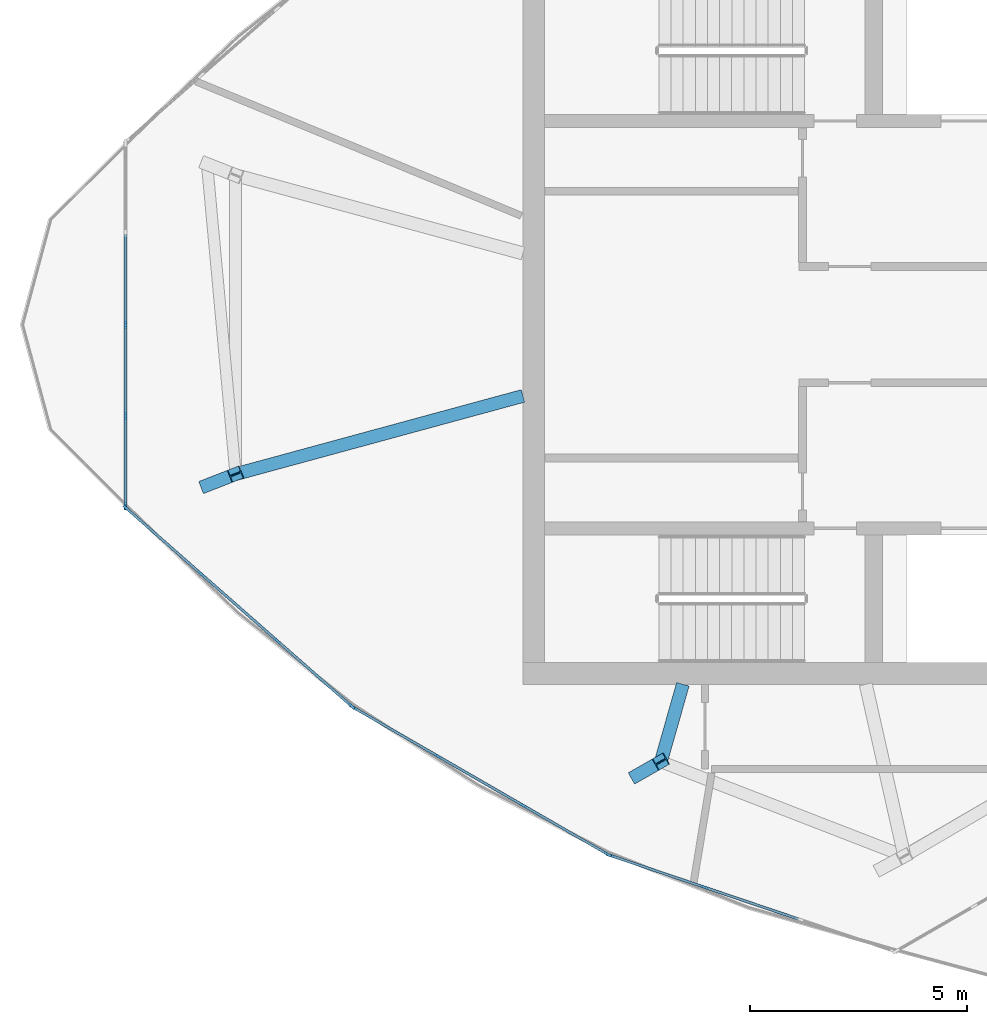
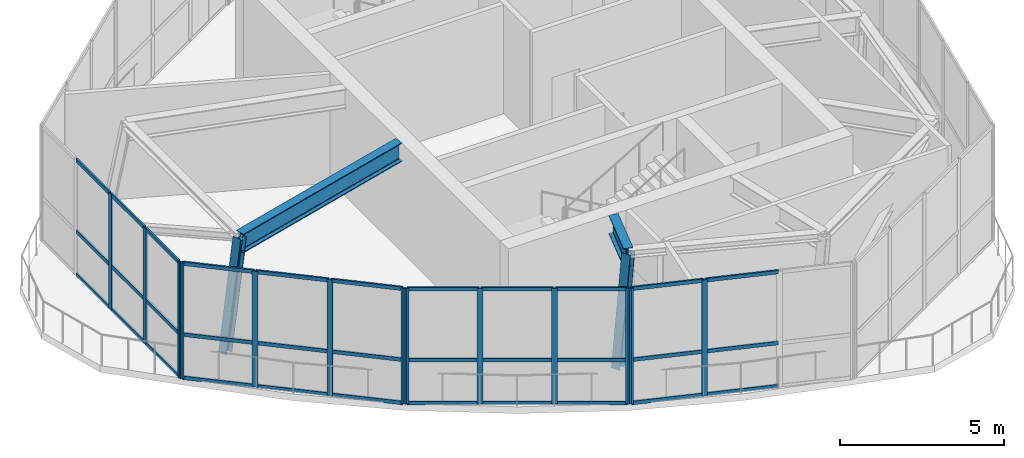
# One storey, part 1 of 10: 48 members, 2 beams, 4 elements without a shape of their own.
"""IFC4 building model written with IfcOpenShell, lengths in metres."""

from ifc_helpers import new_model, si_unit, direction, frame, origin, origin_2d, place, context, subcontext, project, spatial, rectangle, i_section, extrude, source, transform, mapped, material, layer, layer_set, material_profile, profile_set, type_object, element, aggregate, save


model = new_model("IFC4")

# Units and contexts
model_context = context("Model", 3, precision=1e-05, world=origin(), true_north=direction((0.0, 1.0)))
body_context = subcontext(model_context, "Body", "Model", "MODEL_VIEW")
ifc_project = project(units=[si_unit("LENGTHUNIT", "METRE"), si_unit("AREAUNIT", "SQUARE_METRE"), si_unit("VOLUMEUNIT", "CUBIC_METRE"), si_unit("PLANEANGLEUNIT", "RADIAN"), si_unit("MASSUNIT", "GRAM", prefix="KILO")], contexts=[model_context])

# Site, building, storey
site_placement = place(None, origin())
site = spatial("IfcSite", under=ifc_project, at=site_placement, CompositionType="ELEMENT")
building_placement = place(site_placement, origin())
building = spatial("IfcBuilding", under=site, at=building_placement, Name="Qafzar Sky-Pleat Residences", CompositionType="ELEMENT")
storey_placement = place(building_placement, frame((0.0, 0.0, 261.800048828125)))
storey = spatial("IfcBuildingStorey", under=building, at=storey_placement, Name="L78 Crown", CompositionType="ELEMENT", Elevation=261.800048828125)

# Members
ifc_material_1 = material(Name="Steel S460", Category="steel")
ifc_material_profile_1 = material_profile(ifc_material_1, i_section(OverallWidth=0.300048828125, OverallDepth=0.300048828125, WebThickness=0.010986328125, FlangeThickness=0.01904296875, FilletRadius=0.027099609375, at=origin_2d()), Name="HEB 300")
ifc_profile_set_1 = profile_set([ifc_material_profile_1], Name="Steel S460")
member_type_1 = type_object("IfcMemberType", Name="MEM-CROWN-RIB", PredefinedType="CHORD", material=ifc_profile_set_1)
shared_shape_1 = source(origin(), body_context, "Body", "SweptSolid", [
    extrude(i_section(OverallWidth=0.300048828125, OverallDepth=0.300048828125, WebThickness=0.010986328125, FlangeThickness=0.01904296875, FilletRadius=0.027099609375, at=origin_2d()), origin(), (0.0, 0.0, 1.0), 3.95947265625),
])
member_1_placement = place(storey_placement, frame((17.010498046875, 22.293701171875, 0.0), z_axis=(0.166110846077, 0.06498917289, 0.983963207759), x_axis=(-0.364347212595, 0.931263179061, 0.0)))
element("IfcMember", 1, at=member_1_placement, inside=storey, type_object=member_type_1, Name="L78 Crown CROWN FRAME Inclined Rib 2", PredefinedType="CHORD", context=body_context, shape_type="MappedRepresentation", body=[
    mapped(shared_shape_1, transform((0.0, 0.0, 0.0), x_axis=(1.0, 0.0, 0.0), y_axis=(0.0, 1.0, 0.0), z_axis=(0.0, 0.0, 1.0), scale=1.0)),
])
shared_shape_2 = source(origin(), body_context, "Body", "SweptSolid", [
    extrude(i_section(OverallWidth=0.300048828125, OverallDepth=0.300048828125, WebThickness=0.010986328125, FlangeThickness=0.01904296875, FilletRadius=0.027099609375, at=origin_2d()), origin(), (0.0, 0.0, 1.0), 3.947265625),
])
member_2_placement = place(storey_placement, frame((26.93310546875, 15.600830078125, 0.0), z_axis=(0.139718338634, 0.079476788466, 0.986996568355), x_axis=(-0.494439048005, 0.86921230307, 0.0)))
element("IfcMember", 2, at=member_2_placement, inside=storey, type_object=member_type_1, Name="L78 Crown CROWN FRAME Inclined Rib 4", PredefinedType="CHORD", context=body_context, shape_type="MappedRepresentation", body=[
    mapped(shared_shape_2, transform((0.0, 0.0, 0.0), x_axis=(1.0, 0.0, 0.0), y_axis=(0.0, 1.0, 0.0), z_axis=(0.0, 0.0, 1.0), scale=1.0)),
])

# Beams
ifc_material_profile_2 = material_profile(ifc_material_1, i_section(OverallWidth=0.300048828125, OverallDepth=0.699951171875, WebThickness=0.01708984375, FlangeThickness=0.031982421875, FilletRadius=0.027099609375, at=origin_2d()), Name="HEB 700")
ifc_profile_set_2 = profile_set([ifc_material_profile_2], Name="Steel S460")
beam_type = type_object("IfcBeamType", Name="BM-CHORD-HEB700", PredefinedType="BEAM", material=ifc_profile_set_2)
shared_shape_3 = source(origin(), body_context, "Body", "SweptSolid", [
    extrude(i_section(OverallWidth=0.300048828125, OverallDepth=0.699951171875, WebThickness=0.01708984375, FlangeThickness=0.031982421875, FilletRadius=0.027099609375, at=origin_2d()), origin(), (0.0, 0.0, 1.0), 6.872802734375),
])
beam_1_placement = place(storey_placement, frame((17.668212890625, 22.551025390625, 3.697998046875), z_axis=(0.964947212963, 0.262444043932, 0.0), x_axis=(-0.262444043932, 0.964947212963, 0.0)))
element("IfcBeam", 3, at=beam_1_placement, inside=storey, type_object=beam_type, Name="L79 Crown Crown Rib Base Transfer Beam 2", PredefinedType="BEAM", context=body_context, shape_type="MappedRepresentation", body=[
    mapped(shared_shape_3, transform((0.0, 0.0, 0.0), x_axis=(1.0, 0.0, 0.0), y_axis=(0.0, 1.0, 0.0), z_axis=(0.0, 0.0, 1.0), scale=1.0)),
])
shared_shape_4 = source(origin(), body_context, "Body", "SweptSolid", [
    extrude(i_section(OverallWidth=0.300048828125, OverallDepth=0.699951171875, WebThickness=0.01708984375, FlangeThickness=0.031982421875, FilletRadius=0.027099609375, at=origin_2d()), origin(), (0.0, 0.0, 1.0), 1.85595703125),
])
beam_2_placement = place(storey_placement, frame((27.484619140625, 15.91455078125, 3.697998046875), z_axis=(0.273209315348, 0.96195460912, 0.0), x_axis=(-0.96195460912, 0.273209315348, 0.0)))
element("IfcBeam", 4, at=beam_2_placement, inside=storey, type_object=beam_type, Name="L79 Crown Crown Rib Base Transfer Beam 4", PredefinedType="BEAM", context=body_context, shape_type="MappedRepresentation", body=[
    mapped(shared_shape_4, transform((0.0, 0.0, 0.0), x_axis=(1.0, 0.0, 0.0), y_axis=(0.0, 1.0, 0.0), z_axis=(0.0, 0.0, 1.0), scale=1.0)),
])

# Curtain wall, members
ifc_material_2 = material(Name="Anodised bronze aluminium framing", Category="aluminium")
ifc_layer = layer(ifc_material_2, 0.179931640625)
ifc_layer_set = layer_set([ifc_layer], Name="Anodised bronze aluminium framing")
curtain_wall_type = type_object("IfcCurtainWallType", Name="CW-SYS-06", PredefinedType="NOTDEFINED", material=ifc_layer_set)
curtain_wall_1_placement = place(storey_placement, origin())
curtain_wall_1 = element("IfcCurtainWall", 5, at=curtain_wall_1_placement, inside=storey, type_object=curtain_wall_type, Name="L78 Crown CW-06 Curtain Wall CW-CROWN-03-01", PredefinedType="NOTDEFINED")
ifc_material_3 = material(Name="Anodised bronze aluminium", Category="aluminium")
ifc_material_profile_3 = material_profile(ifc_material_3, rectangle(XDim=0.06005859375, YDim=0.179931640625, at=origin_2d()), Name="ALU MULLION 60x180")
ifc_profile_set_3 = profile_set([ifc_material_profile_3], Name="Anodised bronze aluminium")
member_type_2 = type_object("IfcMemberType", Name="CWM-06", PredefinedType="MULLION", material=ifc_profile_set_3)
shared_shape_5 = source(origin(), body_context, "Body", "SweptSolid", [
    extrude(rectangle(XDim=0.06005859375, YDim=0.179931640625, at=origin_2d()), origin(), (0.0, 0.0, 1.0), 4.300048828125),
])
member_3_placement = place(storey_placement, frame((15.12939453125, 26.0, 0.0), z_axis=(0.0, 0.0, 1.0), x_axis=(1.0, 0.0, 0.0)))
member_3 = element("IfcMember", 6, at=member_3_placement, type_object=member_type_2, Name="CW-06 mullion 3", PredefinedType="MULLION", context=body_context, shape_type="MappedRepresentation", body=[
    mapped(shared_shape_5, transform((0.0, 0.0, 0.0), x_axis=(1.0, 0.0, 0.0), y_axis=(0.0, 1.0, 0.0), z_axis=(0.0, 0.0, 1.0), scale=1.0)),
])
member_4_placement = place(storey_placement, frame((15.12939453125, 23.890380859375, 0.0), z_axis=(0.0, 0.0, 1.0), x_axis=(1.0, 0.0, 0.0)))
member_4 = element("IfcMember", 7, at=member_4_placement, type_object=member_type_2, Name="CW-06 mullion 4", PredefinedType="MULLION", context=body_context, shape_type="MappedRepresentation", body=[
    mapped(shared_shape_5, transform((0.0, 0.0, 0.0), x_axis=(1.0, 0.0, 0.0), y_axis=(0.0, 1.0, 0.0), z_axis=(0.0, 0.0, 1.0), scale=1.0)),
])
member_5_placement = place(storey_placement, frame((15.12939453125, 21.810791015625, 0.0), z_axis=(0.0, 0.0, 1.0), x_axis=(1.0, 0.0, 0.0)))
member_5 = element("IfcMember", 8, at=member_5_placement, type_object=member_type_2, Name="CW-06 mullion 5", PredefinedType="MULLION", context=body_context, shape_type="MappedRepresentation", body=[
    mapped(shared_shape_5, transform((0.0, 0.0, 0.0), x_axis=(1.0, 0.0, 0.0), y_axis=(0.0, 1.0, 0.0), z_axis=(0.0, 0.0, 1.0), scale=1.0)),
])

curtain_wall_2_placement = place(storey_placement, origin())
curtain_wall_2 = element("IfcCurtainWall", 9, at=curtain_wall_2_placement, inside=storey, type_object=curtain_wall_type, Name="L78 Crown CW-06 Curtain Wall CW-CROWN-03-02", PredefinedType="NOTDEFINED")
member_6_placement = place(storey_placement, frame((15.15185546875, 21.760986328125, 0.0), z_axis=(0.0, 0.0, 1.0), x_axis=(0.660134231558, 0.751147652812, 0.0)))
member_6 = element("IfcMember", 10, at=member_6_placement, type_object=member_type_2, Name="CW-06 mullion 1", PredefinedType="MULLION", context=body_context, shape_type="MappedRepresentation", body=[
    mapped(shared_shape_5, transform((0.0, 0.0, 0.0), x_axis=(1.0, 0.0, 0.0), y_axis=(0.0, 1.0, 0.0), z_axis=(0.0, 0.0, 1.0), scale=1.0)),
])
member_7_placement = place(storey_placement, frame((16.87451171875, 20.246826171875, 0.0), z_axis=(0.0, 0.0, 1.0), x_axis=(0.660134231558, 0.751147652812, 0.0)))
member_7 = element("IfcMember", 11, at=member_7_placement, type_object=member_type_2, Name="CW-06 mullion 2", PredefinedType="MULLION", context=body_context, shape_type="MappedRepresentation", body=[
    mapped(shared_shape_5, transform((0.0, 0.0, 0.0), x_axis=(1.0, 0.0, 0.0), y_axis=(0.0, 1.0, 0.0), z_axis=(0.0, 0.0, 1.0), scale=1.0)),
])
member_8_placement = place(storey_placement, frame((18.619873046875, 18.713134765625, 0.0), z_axis=(0.0, 0.0, 1.0), x_axis=(0.660134231558, 0.751147652812, 0.0)))
member_8 = element("IfcMember", 12, at=member_8_placement, type_object=member_type_2, Name="CW-06 mullion 3", PredefinedType="MULLION", context=body_context, shape_type="MappedRepresentation", body=[
    mapped(shared_shape_5, transform((0.0, 0.0, 0.0), x_axis=(1.0, 0.0, 0.0), y_axis=(0.0, 1.0, 0.0), z_axis=(0.0, 0.0, 1.0), scale=1.0)),
])
member_9_placement = place(storey_placement, frame((20.342529296875, 17.19921875, 0.0), z_axis=(0.0, 0.0, 1.0), x_axis=(0.660134231558, 0.751147652812, 0.0)))
member_9 = element("IfcMember", 13, at=member_9_placement, type_object=member_type_2, Name="CW-06 mullion 4", PredefinedType="MULLION", context=body_context, shape_type="MappedRepresentation", body=[
    mapped(shared_shape_5, transform((0.0, 0.0, 0.0), x_axis=(1.0, 0.0, 0.0), y_axis=(0.0, 1.0, 0.0), z_axis=(0.0, 0.0, 1.0), scale=1.0)),
])

curtain_wall_3_placement = place(storey_placement, origin())
curtain_wall_3 = element("IfcCurtainWall", 14, at=curtain_wall_3_placement, inside=storey, type_object=curtain_wall_type, Name="L78 Crown CW-06 Curtain Wall CW-CROWN-03-03", PredefinedType="NOTDEFINED")
member_10_placement = place(storey_placement, frame((20.39111328125, 17.164306640625, 0.0), z_axis=(0.0, 0.0, 1.0), x_axis=(0.499992628097, 0.866029659913, 0.0)))
member_10 = element("IfcMember", 15, at=member_10_placement, type_object=member_type_2, Name="CW-06 mullion 1", PredefinedType="MULLION", context=body_context, shape_type="MappedRepresentation", body=[
    mapped(shared_shape_5, transform((0.0, 0.0, 0.0), x_axis=(1.0, 0.0, 0.0), y_axis=(0.0, 1.0, 0.0), z_axis=(0.0, 0.0, 1.0), scale=1.0)),
])
member_11_placement = place(storey_placement, frame((22.338134765625, 16.0400390625, 0.0), z_axis=(0.0, 0.0, 1.0), x_axis=(0.499992628097, 0.866029659913, 0.0)))
member_11 = element("IfcMember", 16, at=member_11_placement, type_object=member_type_2, Name="CW-06 mullion 2", PredefinedType="MULLION", context=body_context, shape_type="MappedRepresentation", body=[
    mapped(shared_shape_5, transform((0.0, 0.0, 0.0), x_axis=(1.0, 0.0, 0.0), y_axis=(0.0, 1.0, 0.0), z_axis=(0.0, 0.0, 1.0), scale=1.0)),
])
member_12_placement = place(storey_placement, frame((24.311279296875, 14.90087890625, 0.0), z_axis=(0.0, 0.0, 1.0), x_axis=(0.499992628097, 0.866029659913, 0.0)))
member_12 = element("IfcMember", 17, at=member_12_placement, type_object=member_type_2, Name="CW-06 mullion 3", PredefinedType="MULLION", context=body_context, shape_type="MappedRepresentation", body=[
    mapped(shared_shape_5, transform((0.0, 0.0, 0.0), x_axis=(1.0, 0.0, 0.0), y_axis=(0.0, 1.0, 0.0), z_axis=(0.0, 0.0, 1.0), scale=1.0)),
])
member_13_placement = place(storey_placement, frame((26.258544921875, 13.77685546875, 0.0), z_axis=(0.0, 0.0, 1.0), x_axis=(0.499992628097, 0.866029659913, 0.0)))
member_13 = element("IfcMember", 18, at=member_13_placement, type_object=member_type_2, Name="CW-06 mullion 4", PredefinedType="MULLION", context=body_context, shape_type="MappedRepresentation", body=[
    mapped(shared_shape_5, transform((0.0, 0.0, 0.0), x_axis=(1.0, 0.0, 0.0), y_axis=(0.0, 1.0, 0.0), z_axis=(0.0, 0.0, 1.0), scale=1.0)),
])

curtain_wall_4_placement = place(storey_placement, origin())
curtain_wall_4 = element("IfcCurtainWall", 19, at=curtain_wall_4_placement, inside=storey, type_object=curtain_wall_type, Name="L78 Crown CW-06 Curtain Wall CW-CROWN-03-04", PredefinedType="NOTDEFINED")
member_14_placement = place(storey_placement, frame((26.31298828125, 13.752197265625, 0.0), z_axis=(0.0, 0.0, 1.0), x_axis=(0.320451017741, 0.947265087095, 0.0)))
member_14 = element("IfcMember", 20, at=member_14_placement, type_object=member_type_2, Name="CW-06 mullion 1", PredefinedType="MULLION", context=body_context, shape_type="MappedRepresentation", body=[
    mapped(shared_shape_5, transform((0.0, 0.0, 0.0), x_axis=(1.0, 0.0, 0.0), y_axis=(0.0, 1.0, 0.0), z_axis=(0.0, 0.0, 1.0), scale=1.0)),
])
member_15_placement = place(storey_placement, frame((28.4853515625, 13.017333984375, 0.0), z_axis=(0.0, 0.0, 1.0), x_axis=(0.320451017741, 0.947265087095, 0.0)))
member_15 = element("IfcMember", 21, at=member_15_placement, type_object=member_type_2, Name="CW-06 mullion 2", PredefinedType="MULLION", context=body_context, shape_type="MappedRepresentation", body=[
    mapped(shared_shape_5, transform((0.0, 0.0, 0.0), x_axis=(1.0, 0.0, 0.0), y_axis=(0.0, 1.0, 0.0), z_axis=(0.0, 0.0, 1.0), scale=1.0)),
])

# Member
ifc_material_profile_4 = material_profile(ifc_material_3, rectangle(XDim=0.06005859375, YDim=0.135009765625, at=origin_2d()), Name="ALU TRANSOM 60x135")
ifc_profile_set_4 = profile_set([ifc_material_profile_4], Name="Anodised bronze aluminium")
member_type_3 = type_object("IfcMemberType", Name="CWT-06", PredefinedType="USERDEFINED", material=ifc_profile_set_4)
shared_shape_6 = source(origin(), body_context, "Body", "SweptSolid", [
    extrude(rectangle(XDim=0.06005859375, YDim=0.135009765625, at=origin_2d()), origin(), (0.0, 0.0, 1.0), 2.01953125),
])
member_16_placement = place(storey_placement, frame((15.12939453125, 23.8603515625, 0.030029296875), z_axis=(0.0, -1.0, 0.0), x_axis=(1.0, 0.0, 0.0)))
member_16 = element("IfcMember", 22, at=member_16_placement, type_object=member_type_3, Name="CW-06 transom 4.1", ObjectType="TRANSOM", PredefinedType="USERDEFINED", context=body_context, shape_type="MappedRepresentation", body=[
    mapped(shared_shape_6, transform((0.0, 0.0, 0.0), x_axis=(1.0, 0.0, 0.0), y_axis=(0.0, 1.0, 0.0), z_axis=(0.0, 0.0, 1.0), scale=1.0)),
])

member_17_placement = place(storey_placement, frame((15.12939453125, 23.8603515625, 1.634033203125), z_axis=(0.0, -1.0, 0.0), x_axis=(1.0, 0.0, 0.0)))
member_17 = element("IfcMember", 23, at=member_17_placement, type_object=member_type_3, Name="CW-06 transom 4.2", ObjectType="TRANSOM", PredefinedType="USERDEFINED", context=body_context, shape_type="MappedRepresentation", body=[
    mapped(shared_shape_6, transform((0.0, 0.0, 0.0), x_axis=(1.0, 0.0, 0.0), y_axis=(0.0, 1.0, 0.0), z_axis=(0.0, 0.0, 1.0), scale=1.0)),
])

member_18_placement = place(storey_placement, frame((15.12939453125, 23.8603515625, 4.27001953125), z_axis=(0.0, -1.0, 0.0), x_axis=(1.0, 0.0, 0.0)))
member_18 = element("IfcMember", 24, at=member_18_placement, type_object=member_type_3, Name="CW-06 transom 4.3", ObjectType="TRANSOM", PredefinedType="USERDEFINED", context=body_context, shape_type="MappedRepresentation", body=[
    mapped(shared_shape_6, transform((0.0, 0.0, 0.0), x_axis=(1.0, 0.0, 0.0), y_axis=(0.0, 1.0, 0.0), z_axis=(0.0, 0.0, 1.0), scale=1.0)),
])

shared_shape_7 = source(origin(), body_context, "Body", "SweptSolid", [
    extrude(rectangle(XDim=0.06005859375, YDim=0.135009765625, at=origin_2d()), origin(), (0.0, 0.0, 1.0), 2.049560546875),
])
member_19_placement = place(storey_placement, frame((15.12939453125, 28.07958984375, 0.030029296875), z_axis=(0.0, -1.0, 0.0), x_axis=(1.0, 0.0, 0.0)))
member_19 = element("IfcMember", 25, at=member_19_placement, type_object=member_type_3, Name="CW-06 transom 2.1", ObjectType="TRANSOM", PredefinedType="USERDEFINED", context=body_context, shape_type="MappedRepresentation", body=[
    mapped(shared_shape_7, transform((0.0, 0.0, 0.0), x_axis=(1.0, 0.0, 0.0), y_axis=(0.0, 1.0, 0.0), z_axis=(0.0, 0.0, 1.0), scale=1.0)),
])

member_20_placement = place(storey_placement, frame((15.12939453125, 28.07958984375, 1.634033203125), z_axis=(0.0, -1.0, 0.0), x_axis=(1.0, 0.0, 0.0)))
member_20 = element("IfcMember", 26, at=member_20_placement, type_object=member_type_3, Name="CW-06 transom 2.2", ObjectType="TRANSOM", PredefinedType="USERDEFINED", context=body_context, shape_type="MappedRepresentation", body=[
    mapped(shared_shape_7, transform((0.0, 0.0, 0.0), x_axis=(1.0, 0.0, 0.0), y_axis=(0.0, 1.0, 0.0), z_axis=(0.0, 0.0, 1.0), scale=1.0)),
])

member_21_placement = place(storey_placement, frame((15.12939453125, 28.07958984375, 4.27001953125), z_axis=(0.0, -1.0, 0.0), x_axis=(1.0, 0.0, 0.0)))
member_21 = element("IfcMember", 27, at=member_21_placement, type_object=member_type_3, Name="CW-06 transom 2.3", ObjectType="TRANSOM", PredefinedType="USERDEFINED", context=body_context, shape_type="MappedRepresentation", body=[
    mapped(shared_shape_7, transform((0.0, 0.0, 0.0), x_axis=(1.0, 0.0, 0.0), y_axis=(0.0, 1.0, 0.0), z_axis=(0.0, 0.0, 1.0), scale=1.0)),
])

member_22_placement = place(storey_placement, frame((15.12939453125, 25.969970703125, 0.030029296875), z_axis=(0.0, -1.0, 0.0), x_axis=(1.0, 0.0, 0.0)))
member_22 = element("IfcMember", 28, at=member_22_placement, type_object=member_type_3, Name="CW-06 transom 3.1", ObjectType="TRANSOM", PredefinedType="USERDEFINED", context=body_context, shape_type="MappedRepresentation", body=[
    mapped(shared_shape_7, transform((0.0, 0.0, 0.0), x_axis=(1.0, 0.0, 0.0), y_axis=(0.0, 1.0, 0.0), z_axis=(0.0, 0.0, 1.0), scale=1.0)),
])

member_23_placement = place(storey_placement, frame((15.12939453125, 25.969970703125, 1.634033203125), z_axis=(0.0, -1.0, 0.0), x_axis=(1.0, 0.0, 0.0)))
member_23 = element("IfcMember", 29, at=member_23_placement, type_object=member_type_3, Name="CW-06 transom 3.2", ObjectType="TRANSOM", PredefinedType="USERDEFINED", context=body_context, shape_type="MappedRepresentation", body=[
    mapped(shared_shape_7, transform((0.0, 0.0, 0.0), x_axis=(1.0, 0.0, 0.0), y_axis=(0.0, 1.0, 0.0), z_axis=(0.0, 0.0, 1.0), scale=1.0)),
])

member_24_placement = place(storey_placement, frame((15.12939453125, 25.969970703125, 4.27001953125), z_axis=(0.0, -1.0, 0.0), x_axis=(1.0, 0.0, 0.0)))
member_24 = element("IfcMember", 30, at=member_24_placement, type_object=member_type_3, Name="CW-06 transom 3.3", ObjectType="TRANSOM", PredefinedType="USERDEFINED", context=body_context, shape_type="MappedRepresentation", body=[
    mapped(shared_shape_7, transform((0.0, 0.0, 0.0), x_axis=(1.0, 0.0, 0.0), y_axis=(0.0, 1.0, 0.0), z_axis=(0.0, 0.0, 1.0), scale=1.0)),
])

aggregate(curtain_wall_1, [member_3, member_4, member_5, member_19, member_20, member_21, member_22, member_23, member_24, member_16, member_17, member_18])

shared_shape_8 = source(origin(), body_context, "Body", "SweptSolid", [
    extrude(rectangle(XDim=0.06005859375, YDim=0.135009765625, at=origin_2d()), origin(), (0.0, 0.0, 1.0), 2.233642578125),
])
member_25_placement = place(storey_placement, frame((15.17431640625, 21.7412109375, 0.030029296875), z_axis=(0.751112341266, -0.660174409378, 0.0), x_axis=(0.660174409378, 0.751112341266, 0.0)))
member_25 = element("IfcMember", 31, at=member_25_placement, type_object=member_type_3, Name="CW-06 transom 1.1", ObjectType="TRANSOM", PredefinedType="USERDEFINED", context=body_context, shape_type="MappedRepresentation", body=[
    mapped(shared_shape_8, transform((0.0, 0.0, 0.0), x_axis=(1.0, 0.0, 0.0), y_axis=(0.0, 1.0, 0.0), z_axis=(0.0, 0.0, 1.0), scale=1.0)),
])

member_26_placement = place(storey_placement, frame((15.17431640625, 21.7412109375, 1.634033203125), z_axis=(0.751112341266, -0.660174409378, 0.0), x_axis=(0.660174409378, 0.751112341266, 0.0)))
member_26 = element("IfcMember", 32, at=member_26_placement, type_object=member_type_3, Name="CW-06 transom 1.2", ObjectType="TRANSOM", PredefinedType="USERDEFINED", context=body_context, shape_type="MappedRepresentation", body=[
    mapped(shared_shape_8, transform((0.0, 0.0, 0.0), x_axis=(1.0, 0.0, 0.0), y_axis=(0.0, 1.0, 0.0), z_axis=(0.0, 0.0, 1.0), scale=1.0)),
])

member_27_placement = place(storey_placement, frame((15.17431640625, 21.7412109375, 4.27001953125), z_axis=(0.751112341266, -0.660174409378, 0.0), x_axis=(0.660174409378, 0.751112341266, 0.0)))
member_27 = element("IfcMember", 33, at=member_27_placement, type_object=member_type_3, Name="CW-06 transom 1.3", ObjectType="TRANSOM", PredefinedType="USERDEFINED", context=body_context, shape_type="MappedRepresentation", body=[
    mapped(shared_shape_8, transform((0.0, 0.0, 0.0), x_axis=(1.0, 0.0, 0.0), y_axis=(0.0, 1.0, 0.0), z_axis=(0.0, 0.0, 1.0), scale=1.0)),
])

member_28_placement = place(storey_placement, frame((26.34130859375, 13.74267578125, 0.030029296875), z_axis=(0.947252731653, -0.320487538565, 0.0), x_axis=(0.320487538565, 0.947252731653, 0.0)))
member_28 = element("IfcMember", 34, at=member_28_placement, type_object=member_type_3, Name="CW-06 transom 1.1", ObjectType="TRANSOM", PredefinedType="USERDEFINED", context=body_context, shape_type="MappedRepresentation", body=[
    mapped(shared_shape_8, transform((0.0, 0.0, 0.0), x_axis=(1.0, 0.0, 0.0), y_axis=(0.0, 1.0, 0.0), z_axis=(0.0, 0.0, 1.0), scale=1.0)),
])

member_29_placement = place(storey_placement, frame((26.34130859375, 13.74267578125, 1.634033203125), z_axis=(0.947252731653, -0.320487538565, 0.0), x_axis=(0.320487538565, 0.947252731653, 0.0)))
member_29 = element("IfcMember", 35, at=member_29_placement, type_object=member_type_3, Name="CW-06 transom 1.2", ObjectType="TRANSOM", PredefinedType="USERDEFINED", context=body_context, shape_type="MappedRepresentation", body=[
    mapped(shared_shape_8, transform((0.0, 0.0, 0.0), x_axis=(1.0, 0.0, 0.0), y_axis=(0.0, 1.0, 0.0), z_axis=(0.0, 0.0, 1.0), scale=1.0)),
])

member_30_placement = place(storey_placement, frame((26.34130859375, 13.74267578125, 4.27001953125), z_axis=(0.947252731653, -0.320487538565, 0.0), x_axis=(0.320487538565, 0.947252731653, 0.0)))
member_30 = element("IfcMember", 36, at=member_30_placement, type_object=member_type_3, Name="CW-06 transom 1.3", ObjectType="TRANSOM", PredefinedType="USERDEFINED", context=body_context, shape_type="MappedRepresentation", body=[
    mapped(shared_shape_8, transform((0.0, 0.0, 0.0), x_axis=(1.0, 0.0, 0.0), y_axis=(0.0, 1.0, 0.0), z_axis=(0.0, 0.0, 1.0), scale=1.0)),
])

shared_shape_9 = source(origin(), body_context, "Body", "SweptSolid", [
    extrude(rectangle(XDim=0.06005859375, YDim=0.135009765625, at=origin_2d()), origin(), (0.0, 0.0, 1.0), 2.263427734375),
])
member_31_placement = place(storey_placement, frame((16.897216796875, 20.22705078125, 0.030029296875), z_axis=(0.751158415452, -0.66012198486, 0.0), x_axis=(0.66012198486, 0.751158415452, 0.0)))
member_31 = element("IfcMember", 37, at=member_31_placement, type_object=member_type_3, Name="CW-06 transom 2.1", ObjectType="TRANSOM", PredefinedType="USERDEFINED", context=body_context, shape_type="MappedRepresentation", body=[
    mapped(shared_shape_9, transform((0.0, 0.0, 0.0), x_axis=(1.0, 0.0, 0.0), y_axis=(0.0, 1.0, 0.0), z_axis=(0.0, 0.0, 1.0), scale=1.0)),
])

member_32_placement = place(storey_placement, frame((16.897216796875, 20.22705078125, 1.634033203125), z_axis=(0.751158415452, -0.66012198486, 0.0), x_axis=(0.66012198486, 0.751158415452, 0.0)))
member_32 = element("IfcMember", 38, at=member_32_placement, type_object=member_type_3, Name="CW-06 transom 2.2", ObjectType="TRANSOM", PredefinedType="USERDEFINED", context=body_context, shape_type="MappedRepresentation", body=[
    mapped(shared_shape_9, transform((0.0, 0.0, 0.0), x_axis=(1.0, 0.0, 0.0), y_axis=(0.0, 1.0, 0.0), z_axis=(0.0, 0.0, 1.0), scale=1.0)),
])

member_33_placement = place(storey_placement, frame((16.897216796875, 20.22705078125, 4.27001953125), z_axis=(0.751158415452, -0.66012198486, 0.0), x_axis=(0.66012198486, 0.751158415452, 0.0)))
member_33 = element("IfcMember", 39, at=member_33_placement, type_object=member_type_3, Name="CW-06 transom 2.3", ObjectType="TRANSOM", PredefinedType="USERDEFINED", context=body_context, shape_type="MappedRepresentation", body=[
    mapped(shared_shape_9, transform((0.0, 0.0, 0.0), x_axis=(1.0, 0.0, 0.0), y_axis=(0.0, 1.0, 0.0), z_axis=(0.0, 0.0, 1.0), scale=1.0)),
])

member_34_placement = place(storey_placement, frame((28.513916015625, 13.007568359375, 0.030029296875), z_axis=(0.947260810065, -0.320463660522, 0.0), x_axis=(0.320463660522, 0.947260810065, 0.0)))
member_34 = element("IfcMember", 40, at=member_34_placement, type_object=member_type_3, Name="CW-06 transom 2.1", ObjectType="TRANSOM", PredefinedType="USERDEFINED", context=body_context, shape_type="MappedRepresentation", body=[
    mapped(shared_shape_9, transform((0.0, 0.0, 0.0), x_axis=(1.0, 0.0, 0.0), y_axis=(0.0, 1.0, 0.0), z_axis=(0.0, 0.0, 1.0), scale=1.0)),
])

member_35_placement = place(storey_placement, frame((28.513916015625, 13.007568359375, 1.634033203125), z_axis=(0.947260810065, -0.320463660522, 0.0), x_axis=(0.320463660522, 0.947260810065, 0.0)))
member_35 = element("IfcMember", 41, at=member_35_placement, type_object=member_type_3, Name="CW-06 transom 2.2", ObjectType="TRANSOM", PredefinedType="USERDEFINED", context=body_context, shape_type="MappedRepresentation", body=[
    mapped(shared_shape_9, transform((0.0, 0.0, 0.0), x_axis=(1.0, 0.0, 0.0), y_axis=(0.0, 1.0, 0.0), z_axis=(0.0, 0.0, 1.0), scale=1.0)),
])

member_36_placement = place(storey_placement, frame((28.513916015625, 13.007568359375, 4.27001953125), z_axis=(0.947260810065, -0.320463660522, 0.0), x_axis=(0.320463660522, 0.947260810065, 0.0)))
member_36 = element("IfcMember", 42, at=member_36_placement, type_object=member_type_3, Name="CW-06 transom 2.3", ObjectType="TRANSOM", PredefinedType="USERDEFINED", context=body_context, shape_type="MappedRepresentation", body=[
    mapped(shared_shape_9, transform((0.0, 0.0, 0.0), x_axis=(1.0, 0.0, 0.0), y_axis=(0.0, 1.0, 0.0), z_axis=(0.0, 0.0, 1.0), scale=1.0)),
])

aggregate(curtain_wall_4, [member_14, member_15, member_28, member_29, member_30, member_34, member_35, member_36])

shared_shape_10 = source(origin(), body_context, "Body", "SweptSolid", [
    extrude(rectangle(XDim=0.06005859375, YDim=0.135009765625, at=origin_2d()), origin(), (0.0, 0.0, 1.0), 2.2333984375),
])
member_37_placement = place(storey_placement, frame((18.642333984375, 18.693359375, 0.030029296875), z_axis=(0.751166540904, -0.660112738725, 0.0), x_axis=(0.660112738725, 0.751166540904, 0.0)))
member_37 = element("IfcMember", 43, at=member_37_placement, type_object=member_type_3, Name="CW-06 transom 3.1", ObjectType="TRANSOM", PredefinedType="USERDEFINED", context=body_context, shape_type="MappedRepresentation", body=[
    mapped(shared_shape_10, transform((0.0, 0.0, 0.0), x_axis=(1.0, 0.0, 0.0), y_axis=(0.0, 1.0, 0.0), z_axis=(0.0, 0.0, 1.0), scale=1.0)),
])

member_38_placement = place(storey_placement, frame((18.642333984375, 18.693359375, 1.634033203125), z_axis=(0.751166540904, -0.660112738725, 0.0), x_axis=(0.660112738725, 0.751166540904, 0.0)))
member_38 = element("IfcMember", 44, at=member_38_placement, type_object=member_type_3, Name="CW-06 transom 3.2", ObjectType="TRANSOM", PredefinedType="USERDEFINED", context=body_context, shape_type="MappedRepresentation", body=[
    mapped(shared_shape_10, transform((0.0, 0.0, 0.0), x_axis=(1.0, 0.0, 0.0), y_axis=(0.0, 1.0, 0.0), z_axis=(0.0, 0.0, 1.0), scale=1.0)),
])

member_39_placement = place(storey_placement, frame((18.642333984375, 18.693359375, 4.27001953125), z_axis=(0.751166540904, -0.660112738725, 0.0), x_axis=(0.660112738725, 0.751166540904, 0.0)))
member_39 = element("IfcMember", 45, at=member_39_placement, type_object=member_type_3, Name="CW-06 transom 3.3", ObjectType="TRANSOM", PredefinedType="USERDEFINED", context=body_context, shape_type="MappedRepresentation", body=[
    mapped(shared_shape_10, transform((0.0, 0.0, 0.0), x_axis=(1.0, 0.0, 0.0), y_axis=(0.0, 1.0, 0.0), z_axis=(0.0, 0.0, 1.0), scale=1.0)),
])

aggregate(curtain_wall_2, [member_6, member_7, member_8, member_9, member_25, member_26, member_27, member_31, member_32, member_33, member_37, member_38, member_39])

shared_shape_11 = source(origin(), body_context, "Body", "SweptSolid", [
    extrude(rectangle(XDim=0.06005859375, YDim=0.135009765625, at=origin_2d()), origin(), (0.0, 0.0, 1.0), 2.1884765625),
])
member_40_placement = place(storey_placement, frame((20.4169921875, 17.1494140625, 0.030029296875), z_axis=(0.86602396135, -0.500002498361, 0.0), x_axis=(0.500002498361, 0.86602396135, 0.0)))
member_40 = element("IfcMember", 46, at=member_40_placement, type_object=member_type_3, Name="CW-06 transom 1.1", ObjectType="TRANSOM", PredefinedType="USERDEFINED", context=body_context, shape_type="MappedRepresentation", body=[
    mapped(shared_shape_11, transform((0.0, 0.0, 0.0), x_axis=(1.0, 0.0, 0.0), y_axis=(0.0, 1.0, 0.0), z_axis=(0.0, 0.0, 1.0), scale=1.0)),
])

member_41_placement = place(storey_placement, frame((20.4169921875, 17.1494140625, 1.634033203125), z_axis=(0.86602396135, -0.500002498361, 0.0), x_axis=(0.500002498361, 0.86602396135, 0.0)))
member_41 = element("IfcMember", 47, at=member_41_placement, type_object=member_type_3, Name="CW-06 transom 1.2", ObjectType="TRANSOM", PredefinedType="USERDEFINED", context=body_context, shape_type="MappedRepresentation", body=[
    mapped(shared_shape_11, transform((0.0, 0.0, 0.0), x_axis=(1.0, 0.0, 0.0), y_axis=(0.0, 1.0, 0.0), z_axis=(0.0, 0.0, 1.0), scale=1.0)),
])

member_42_placement = place(storey_placement, frame((20.4169921875, 17.1494140625, 4.27001953125), z_axis=(0.86602396135, -0.500002498361, 0.0), x_axis=(0.500002498361, 0.86602396135, 0.0)))
member_42 = element("IfcMember", 48, at=member_42_placement, type_object=member_type_3, Name="CW-06 transom 1.3", ObjectType="TRANSOM", PredefinedType="USERDEFINED", context=body_context, shape_type="MappedRepresentation", body=[
    mapped(shared_shape_11, transform((0.0, 0.0, 0.0), x_axis=(1.0, 0.0, 0.0), y_axis=(0.0, 1.0, 0.0), z_axis=(0.0, 0.0, 1.0), scale=1.0)),
])

shared_shape_12 = source(origin(), body_context, "Body", "SweptSolid", [
    extrude(rectangle(XDim=0.06005859375, YDim=0.135009765625, at=origin_2d()), origin(), (0.0, 0.0, 1.0), 2.21826171875),
])
member_43_placement = place(storey_placement, frame((22.3642578125, 16.025146484375, 0.030029296875), z_axis=(0.866033470286, -0.49998602815, 0.0), x_axis=(0.49998602815, 0.866033470286, 0.0)))
member_43 = element("IfcMember", 49, at=member_43_placement, type_object=member_type_3, Name="CW-06 transom 2.1", ObjectType="TRANSOM", PredefinedType="USERDEFINED", context=body_context, shape_type="MappedRepresentation", body=[
    mapped(shared_shape_12, transform((0.0, 0.0, 0.0), x_axis=(1.0, 0.0, 0.0), y_axis=(0.0, 1.0, 0.0), z_axis=(0.0, 0.0, 1.0), scale=1.0)),
])

member_44_placement = place(storey_placement, frame((22.3642578125, 16.025146484375, 1.634033203125), z_axis=(0.866033470286, -0.49998602815, 0.0), x_axis=(0.49998602815, 0.866033470286, 0.0)))
member_44 = element("IfcMember", 50, at=member_44_placement, type_object=member_type_3, Name="CW-06 transom 2.2", ObjectType="TRANSOM", PredefinedType="USERDEFINED", context=body_context, shape_type="MappedRepresentation", body=[
    mapped(shared_shape_12, transform((0.0, 0.0, 0.0), x_axis=(1.0, 0.0, 0.0), y_axis=(0.0, 1.0, 0.0), z_axis=(0.0, 0.0, 1.0), scale=1.0)),
])

member_45_placement = place(storey_placement, frame((22.3642578125, 16.025146484375, 4.27001953125), z_axis=(0.866033470286, -0.49998602815, 0.0), x_axis=(0.49998602815, 0.866033470286, 0.0)))
member_45 = element("IfcMember", 51, at=member_45_placement, type_object=member_type_3, Name="CW-06 transom 2.3", ObjectType="TRANSOM", PredefinedType="USERDEFINED", context=body_context, shape_type="MappedRepresentation", body=[
    mapped(shared_shape_12, transform((0.0, 0.0, 0.0), x_axis=(1.0, 0.0, 0.0), y_axis=(0.0, 1.0, 0.0), z_axis=(0.0, 0.0, 1.0), scale=1.0)),
])

shared_shape_13 = source(origin(), body_context, "Body", "SweptSolid", [
    extrude(rectangle(XDim=0.06005859375, YDim=0.135009765625, at=origin_2d()), origin(), (0.0, 0.0, 1.0), 2.188232421875),
])
member_46_placement = place(storey_placement, frame((24.33740234375, 14.885986328125, 0.030029296875), z_axis=(0.865996067555, -0.500050808398, 0.0), x_axis=(0.500050808398, 0.865996067555, 0.0)))
member_46 = element("IfcMember", 52, at=member_46_placement, type_object=member_type_3, Name="CW-06 transom 3.1", ObjectType="TRANSOM", PredefinedType="USERDEFINED", context=body_context, shape_type="MappedRepresentation", body=[
    mapped(shared_shape_13, transform((0.0, 0.0, 0.0), x_axis=(1.0, 0.0, 0.0), y_axis=(0.0, 1.0, 0.0), z_axis=(0.0, 0.0, 1.0), scale=1.0)),
])

member_47_placement = place(storey_placement, frame((24.33740234375, 14.885986328125, 1.634033203125), z_axis=(0.865996067555, -0.500050808398, 0.0), x_axis=(0.500050808398, 0.865996067555, 0.0)))
member_47 = element("IfcMember", 53, at=member_47_placement, type_object=member_type_3, Name="CW-06 transom 3.2", ObjectType="TRANSOM", PredefinedType="USERDEFINED", context=body_context, shape_type="MappedRepresentation", body=[
    mapped(shared_shape_13, transform((0.0, 0.0, 0.0), x_axis=(1.0, 0.0, 0.0), y_axis=(0.0, 1.0, 0.0), z_axis=(0.0, 0.0, 1.0), scale=1.0)),
])

member_48_placement = place(storey_placement, frame((24.33740234375, 14.885986328125, 4.27001953125), z_axis=(0.865996067555, -0.500050808398, 0.0), x_axis=(0.500050808398, 0.865996067555, 0.0)))
member_48 = element("IfcMember", 54, at=member_48_placement, type_object=member_type_3, Name="CW-06 transom 3.3", ObjectType="TRANSOM", PredefinedType="USERDEFINED", context=body_context, shape_type="MappedRepresentation", body=[
    mapped(shared_shape_13, transform((0.0, 0.0, 0.0), x_axis=(1.0, 0.0, 0.0), y_axis=(0.0, 1.0, 0.0), z_axis=(0.0, 0.0, 1.0), scale=1.0)),
])

aggregate(curtain_wall_3, [member_10, member_11, member_12, member_13, member_40, member_41, member_42, member_43, member_44, member_45, member_46, member_47, member_48])

save(model, "model.ifc")
